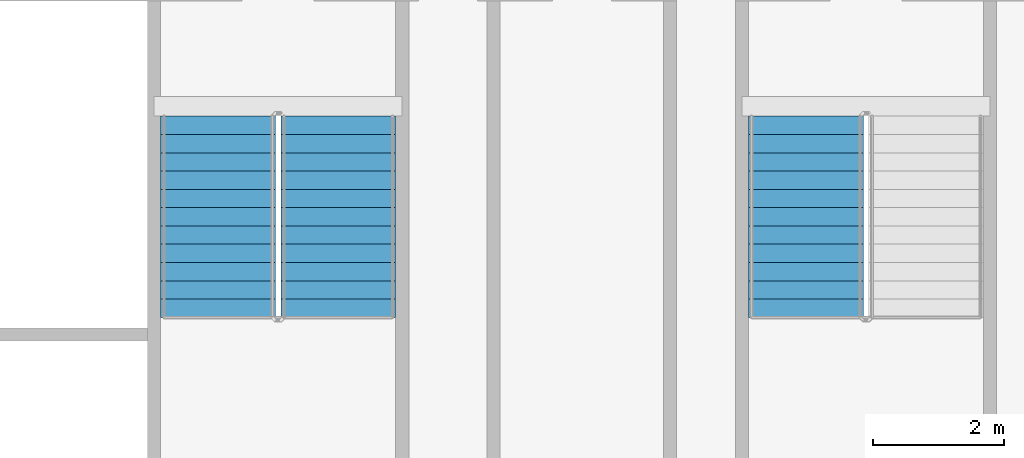
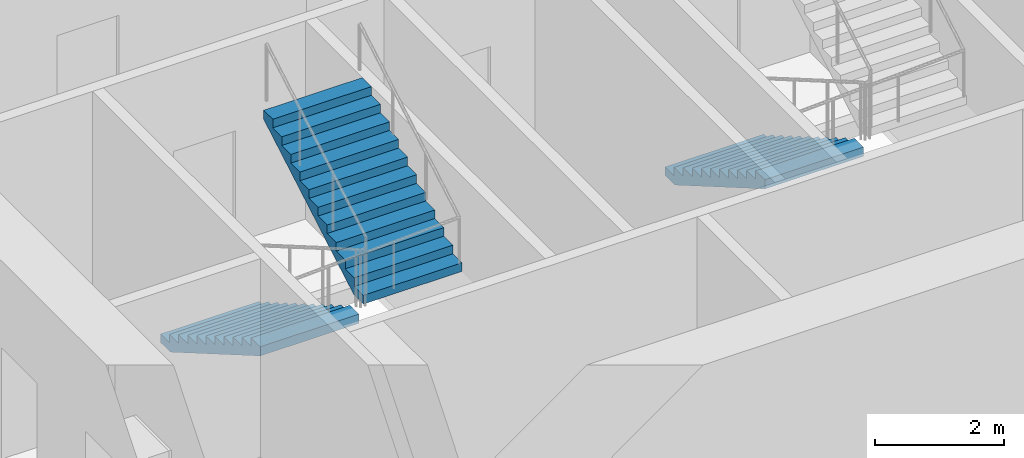
# One storey, part 15 of 22: 3 stair flights, 2 elements without a shape of their own.
"""IFC4 building model written with IfcOpenShell, lengths in metres."""

from ifc_helpers import new_model, si_unit, direction, frame, origin, place, context, subcontext, project, spatial, faceted_brep, material, type_object, element, aggregate, save


model = new_model("IFC4")

# Units and contexts
model_context = context("Model", 3, precision=1e-05, world=origin(), true_north=direction((0.0, 1.0)))
body_context = subcontext(model_context, "Body", "Model", "MODEL_VIEW")
ifc_project = project(units=[si_unit("LENGTHUNIT", "METRE"), si_unit("AREAUNIT", "SQUARE_METRE"), si_unit("VOLUMEUNIT", "CUBIC_METRE"), si_unit("PLANEANGLEUNIT", "RADIAN"), si_unit("MASSUNIT", "GRAM", prefix="KILO")], contexts=[model_context])

# Site, building, storey
site_placement = place(None, origin())
site = spatial("IfcSite", under=ifc_project, at=site_placement, CompositionType="ELEMENT")
building_placement = place(site_placement, origin())
building = spatial("IfcBuilding", under=site, at=building_placement, Name="Tarsis Ring Headquarters", CompositionType="ELEMENT")
storey_placement = place(building_placement, frame((0.0, 0.0, 55.60009765625)))
storey = spatial("IfcBuildingStorey", under=building, at=storey_placement, Name="L11", CompositionType="ELEMENT", Elevation=55.60009765625)

# Stair, stair flights
ifc_material_1 = material(Name="Core stair 1760")
stair_type = type_object("IfcStairType", Name="Core stair 1760", PredefinedType="HALF_TURN_STAIR", material=ifc_material_1)
stair_1_placement = place(storey_placement, origin())
stair_1 = element("IfcStair", 1, at=stair_1_placement, inside=storey, type_object=stair_type, Name="L11 Exit stair C", PredefinedType="HALF_TURN_STAIR")
ifc_material_2 = material(Name="Concrete C40/50", Category="concrete")
stair_flight_type = type_object("IfcStairFlightType", Name="Core stair flight 1760", PredefinedType="STRAIGHT", material=ifc_material_2)
stair_flight_1_placement = place(storey_placement, frame((-5.419921875, -3.659912109375, 0.0), z_axis=(0.0, 0.0, 1.0), x_axis=(0.0, -1.0, 0.0)))
stair_flight_1 = element("IfcStairFlight", 2, at=stair_flight_1_placement, type_object=stair_flight_type, Name="Stair ST3 flight 1", NumberOfRisers=12, NumberOfTreads=11, PredefinedType="STRAIGHT", RiserHeight=0.1625, TreadLength=0.28, context=body_context, shape_type="Brep", body=[
    faceted_brep([(0.0, 0.8798828125, 0.0), (0.0, 0.8798828125, 0.16259765625), (0.280029296875, 0.8798828125, 0.16259765625), (0.280029296875, 0.8798828125, 0.324951171875), (0.56005859375, 0.8798828125, 0.324951171875), (0.56005859375, 0.8798828125, 0.487548828125), (0.840087890625, 0.8798828125, 0.487548828125), (0.840087890625, 0.8798828125, 0.64990234375), (1.1201171875, 0.8798828125, 0.64990234375), (1.1201171875, 0.8798828125, 0.8125), (1.39990234375, 0.8798828125, 0.8125), (1.39990234375, 0.8798828125, 0.97509765625), (1.679931640625, 0.8798828125, 0.97509765625), (1.679931640625, 0.8798828125, 1.137451171875), (1.9599609375, 0.8798828125, 1.137451171875), (1.9599609375, 0.8798828125, 1.300048828125), (2.239990234375, 0.8798828125, 1.300048828125), (2.239990234375, 0.8798828125, 1.46240234375), (2.52001953125, 0.8798828125, 1.46240234375), (2.52001953125, 0.8798828125, 1.625), (2.800048828125, 0.8798828125, 1.625), (2.800048828125, 0.8798828125, 1.78759765625), (3.080078125, 0.8798828125, 1.78759765625), (3.080078125, 0.8798828125, 1.6142578125), (0.298583984375, 0.8798828125, 0.0), (0.298583984375, -0.8798828125, 0.0), (3.080078125, -0.8798828125, 1.6142578125), (3.080078125, -0.8798828125, 1.78759765625), (2.800048828125, -0.8798828125, 1.78759765625), (2.800048828125, -0.8798828125, 1.625), (2.52001953125, -0.8798828125, 1.625), (2.52001953125, -0.8798828125, 1.46240234375), (2.239990234375, -0.8798828125, 1.46240234375), (2.239990234375, -0.8798828125, 1.300048828125), (1.9599609375, -0.8798828125, 1.300048828125), (1.9599609375, -0.8798828125, 1.137451171875), (1.679931640625, -0.8798828125, 1.137451171875), (1.679931640625, -0.8798828125, 0.97509765625), (1.39990234375, -0.8798828125, 0.97509765625), (1.39990234375, -0.8798828125, 0.8125), (1.1201171875, -0.8798828125, 0.8125), (1.1201171875, -0.8798828125, 0.64990234375), (0.840087890625, -0.8798828125, 0.64990234375), (0.840087890625, -0.8798828125, 0.487548828125), (0.56005859375, -0.8798828125, 0.487548828125), (0.56005859375, -0.8798828125, 0.324951171875), (0.280029296875, -0.8798828125, 0.324951171875), (0.280029296875, -0.8798828125, 0.16259765625), (0.0, -0.8798828125, 0.16259765625), (0.0, -0.8798828125, 0.0), (0.0, -0.43994140625, 0.16259765625), (0.0, -0.43994140625, 0.0), (0.0, 0.0, 0.16259765625), (0.0, 0.0, 0.0), (0.0, 0.43994140625, 0.16259765625), (0.0, 0.43994140625, 0.0), (0.280029296875, -0.43994140625, 0.16259765625), (0.280029296875, 0.0, 0.16259765625), (0.280029296875, 0.43994140625, 0.16259765625), (0.280029296875, -0.43994140625, 0.324951171875), (0.280029296875, 0.0, 0.324951171875), (0.280029296875, 0.43994140625, 0.324951171875), (0.56005859375, -0.43994140625, 0.324951171875), (0.56005859375, 0.0, 0.324951171875), (0.56005859375, 0.43994140625, 0.324951171875), (0.56005859375, -0.43994140625, 0.487548828125), (0.56005859375, 0.0, 0.487548828125), (0.56005859375, 0.43994140625, 0.487548828125), (0.840087890625, -0.43994140625, 0.487548828125), (0.840087890625, 0.0, 0.487548828125), (0.840087890625, 0.43994140625, 0.487548828125), (0.840087890625, -0.43994140625, 0.64990234375), (0.840087890625, 0.0, 0.64990234375), (0.840087890625, 0.43994140625, 0.64990234375), (1.1201171875, -0.43994140625, 0.64990234375), (1.1201171875, 0.0, 0.64990234375), (1.1201171875, 0.43994140625, 0.64990234375), (1.1201171875, -0.43994140625, 0.8125), (1.1201171875, 0.0, 0.8125), (1.1201171875, 0.43994140625, 0.8125), (1.39990234375, -0.43994140625, 0.8125), (1.39990234375, 0.0, 0.8125), (1.39990234375, 0.43994140625, 0.8125), (1.39990234375, -0.43994140625, 0.97509765625), (1.39990234375, 0.0, 0.97509765625), (1.39990234375, 0.43994140625, 0.97509765625), (1.679931640625, -0.43994140625, 0.97509765625), (1.679931640625, 0.0, 0.97509765625), (1.679931640625, 0.43994140625, 0.97509765625), (1.679931640625, -0.43994140625, 1.137451171875), (1.679931640625, 0.0, 1.137451171875), (1.679931640625, 0.43994140625, 1.137451171875), (1.9599609375, -0.43994140625, 1.137451171875), (1.9599609375, 0.0, 1.137451171875), (1.9599609375, 0.43994140625, 1.137451171875), (1.9599609375, -0.43994140625, 1.300048828125), (1.9599609375, 0.0, 1.300048828125), (1.9599609375, 0.43994140625, 1.300048828125), (2.239990234375, -0.43994140625, 1.300048828125), (2.239990234375, 0.0, 1.300048828125), (2.239990234375, 0.43994140625, 1.300048828125), (2.239990234375, -0.43994140625, 1.46240234375), (2.239990234375, 0.0, 1.46240234375), (2.239990234375, 0.43994140625, 1.46240234375), (2.52001953125, -0.43994140625, 1.46240234375), (2.52001953125, 0.0, 1.46240234375), (2.52001953125, 0.43994140625, 1.46240234375), (2.52001953125, -0.43994140625, 1.625), (2.52001953125, 0.0, 1.625), (2.52001953125, 0.43994140625, 1.625), (2.800048828125, -0.43994140625, 1.625), (2.800048828125, 0.0, 1.625), (2.800048828125, 0.43994140625, 1.625), (2.800048828125, -0.43994140625, 1.78759765625), (2.800048828125, 0.0, 1.78759765625), (2.800048828125, 0.43994140625, 1.78759765625), (3.080078125, -0.43994140625, 1.78759765625), (3.080078125, 0.0, 1.78759765625), (3.080078125, 0.43994140625, 1.78759765625), (3.080078125, -0.43994140625, 1.6142578125), (3.080078125, 0.0, 1.6142578125), (3.080078125, 0.43994140625, 1.6142578125), (0.298583984375, -0.43994140625, 0.0), (0.298583984375, 0.0, 0.0), (0.298583984375, 0.43994140625, 0.0)], [[[0, 1, 2, 3, 4, 5, 6, 7, 8, 9, 10, 11, 12, 13, 14, 15, 16, 17, 18, 19, 20, 21, 22, 23, 24]], [[25, 26, 27, 28, 29, 30, 31, 32, 33, 34, 35, 36, 37, 38, 39, 40, 41, 42, 43, 44, 45, 46, 47, 48, 49]], [[49, 48, 50, 51]], [[51, 50, 52, 53]], [[53, 52, 54, 55]], [[55, 54, 1, 0]], [[48, 47, 56, 50]], [[50, 56, 57, 52]], [[52, 57, 58, 54]], [[54, 58, 2, 1]], [[47, 46, 59, 56]], [[56, 59, 60, 57]], [[57, 60, 61, 58]], [[58, 61, 3, 2]], [[46, 45, 62, 59]], [[59, 62, 63, 60]], [[60, 63, 64, 61]], [[61, 64, 4, 3]], [[45, 44, 65, 62]], [[62, 65, 66, 63]], [[63, 66, 67, 64]], [[64, 67, 5, 4]], [[44, 43, 68, 65]], [[65, 68, 69, 66]], [[66, 69, 70, 67]], [[67, 70, 6, 5]], [[43, 42, 71, 68]], [[68, 71, 72, 69]], [[69, 72, 73, 70]], [[70, 73, 7, 6]], [[42, 41, 74, 71]], [[71, 74, 75, 72]], [[72, 75, 76, 73]], [[73, 76, 8, 7]], [[41, 40, 77, 74]], [[74, 77, 78, 75]], [[75, 78, 79, 76]], [[76, 79, 9, 8]], [[40, 39, 80, 77]], [[77, 80, 81, 78]], [[78, 81, 82, 79]], [[79, 82, 10, 9]], [[39, 38, 83, 80]], [[80, 83, 84, 81]], [[81, 84, 85, 82]], [[82, 85, 11, 10]], [[38, 37, 86, 83]], [[83, 86, 87, 84]], [[84, 87, 88, 85]], [[85, 88, 12, 11]], [[37, 36, 89, 86]], [[86, 89, 90, 87]], [[87, 90, 91, 88]], [[88, 91, 13, 12]], [[36, 35, 92, 89]], [[89, 92, 93, 90]], [[90, 93, 94, 91]], [[91, 94, 14, 13]], [[35, 34, 95, 92]], [[92, 95, 96, 93]], [[93, 96, 97, 94]], [[94, 97, 15, 14]], [[34, 33, 98, 95]], [[95, 98, 99, 96]], [[96, 99, 100, 97]], [[97, 100, 16, 15]], [[33, 32, 101, 98]], [[98, 101, 102, 99]], [[99, 102, 103, 100]], [[100, 103, 17, 16]], [[32, 31, 104, 101]], [[101, 104, 105, 102]], [[102, 105, 106, 103]], [[103, 106, 18, 17]], [[31, 30, 107, 104]], [[104, 107, 108, 105]], [[105, 108, 109, 106]], [[106, 109, 19, 18]], [[30, 29, 110, 107]], [[107, 110, 111, 108]], [[108, 111, 112, 109]], [[109, 112, 20, 19]], [[29, 28, 113, 110]], [[110, 113, 114, 111]], [[111, 114, 115, 112]], [[112, 115, 21, 20]], [[28, 27, 116, 113]], [[113, 116, 117, 114]], [[114, 117, 118, 115]], [[115, 118, 22, 21]], [[27, 26, 119, 116]], [[116, 119, 120, 117]], [[117, 120, 121, 118]], [[118, 121, 23, 22]], [[26, 25, 122, 119]], [[119, 122, 123, 120]], [[120, 123, 124, 121]], [[121, 124, 24, 23]], [[25, 49, 51, 122]], [[122, 51, 53, 123]], [[123, 53, 55, 124]], [[124, 55, 0, 24]]]),
])
stair_flight_2_placement = place(storey_placement, frame((-3.580078125, -6.739990234375, 1.949951171875), z_axis=(0.0, 0.0, 1.0), x_axis=(0.0, 1.0, 0.0)))
stair_flight_2 = element("IfcStairFlight", 3, at=stair_flight_2_placement, type_object=stair_flight_type, Name="Stair ST3 flight 2", NumberOfRisers=12, NumberOfTreads=11, PredefinedType="STRAIGHT", RiserHeight=0.1625, TreadLength=0.28, context=body_context, shape_type="Brep", body=[
    faceted_brep([(0.0, 0.8798828125, 0.0), (0.0, 0.8798828125, 0.16259765625), (0.280029296875, 0.8798828125, 0.16259765625), (0.280029296875, 0.8798828125, 0.324951171875), (0.56005859375, 0.8798828125, 0.324951171875), (0.56005859375, 0.8798828125, 0.487548828125), (0.840087890625, 0.8798828125, 0.487548828125), (0.840087890625, 0.8798828125, 0.64990234375), (1.1201171875, 0.8798828125, 0.64990234375), (1.1201171875, 0.8798828125, 0.8125), (1.39990234375, 0.8798828125, 0.8125), (1.39990234375, 0.8798828125, 0.97509765625), (1.679931640625, 0.8798828125, 0.97509765625), (1.679931640625, 0.8798828125, 1.137451171875), (1.9599609375, 0.8798828125, 1.137451171875), (1.9599609375, 0.8798828125, 1.300048828125), (2.239990234375, 0.8798828125, 1.300048828125), (2.239990234375, 0.8798828125, 1.46240234375), (2.52001953125, 0.8798828125, 1.46240234375), (2.52001953125, 0.8798828125, 1.625), (2.800048828125, 0.8798828125, 1.625), (2.800048828125, 0.8798828125, 1.78759765625), (3.080078125, 0.8798828125, 1.78759765625), (3.080078125, 0.8798828125, 1.6142578125), (0.298583984375, 0.8798828125, 0.0), (0.298583984375, -0.8798828125, 0.0), (3.080078125, -0.8798828125, 1.6142578125), (3.080078125, -0.8798828125, 1.78759765625), (2.800048828125, -0.8798828125, 1.78759765625), (2.800048828125, -0.8798828125, 1.625), (2.52001953125, -0.8798828125, 1.625), (2.52001953125, -0.8798828125, 1.46240234375), (2.239990234375, -0.8798828125, 1.46240234375), (2.239990234375, -0.8798828125, 1.300048828125), (1.9599609375, -0.8798828125, 1.300048828125), (1.9599609375, -0.8798828125, 1.137451171875), (1.679931640625, -0.8798828125, 1.137451171875), (1.679931640625, -0.8798828125, 0.97509765625), (1.39990234375, -0.8798828125, 0.97509765625), (1.39990234375, -0.8798828125, 0.8125), (1.1201171875, -0.8798828125, 0.8125), (1.1201171875, -0.8798828125, 0.64990234375), (0.840087890625, -0.8798828125, 0.64990234375), (0.840087890625, -0.8798828125, 0.487548828125), (0.56005859375, -0.8798828125, 0.487548828125), (0.56005859375, -0.8798828125, 0.324951171875), (0.280029296875, -0.8798828125, 0.324951171875), (0.280029296875, -0.8798828125, 0.16259765625), (0.0, -0.8798828125, 0.16259765625), (0.0, -0.8798828125, 0.0), (0.0, -0.43994140625, 0.16259765625), (0.0, -0.43994140625, 0.0), (0.0, 0.0, 0.16259765625), (0.0, 0.0, 0.0), (0.0, 0.43994140625, 0.16259765625), (0.0, 0.43994140625, 0.0), (0.280029296875, -0.43994140625, 0.16259765625), (0.280029296875, 0.0, 0.16259765625), (0.280029296875, 0.43994140625, 0.16259765625), (0.280029296875, -0.43994140625, 0.324951171875), (0.280029296875, 0.0, 0.324951171875), (0.280029296875, 0.43994140625, 0.324951171875), (0.56005859375, -0.43994140625, 0.324951171875), (0.56005859375, 0.0, 0.324951171875), (0.56005859375, 0.43994140625, 0.324951171875), (0.56005859375, -0.43994140625, 0.487548828125), (0.56005859375, 0.0, 0.487548828125), (0.56005859375, 0.43994140625, 0.487548828125), (0.840087890625, -0.43994140625, 0.487548828125), (0.840087890625, 0.0, 0.487548828125), (0.840087890625, 0.43994140625, 0.487548828125), (0.840087890625, -0.43994140625, 0.64990234375), (0.840087890625, 0.0, 0.64990234375), (0.840087890625, 0.43994140625, 0.64990234375), (1.1201171875, -0.43994140625, 0.64990234375), (1.1201171875, 0.0, 0.64990234375), (1.1201171875, 0.43994140625, 0.64990234375), (1.1201171875, -0.43994140625, 0.8125), (1.1201171875, 0.0, 0.8125), (1.1201171875, 0.43994140625, 0.8125), (1.39990234375, -0.43994140625, 0.8125), (1.39990234375, 0.0, 0.8125), (1.39990234375, 0.43994140625, 0.8125), (1.39990234375, -0.43994140625, 0.97509765625), (1.39990234375, 0.0, 0.97509765625), (1.39990234375, 0.43994140625, 0.97509765625), (1.679931640625, -0.43994140625, 0.97509765625), (1.679931640625, 0.0, 0.97509765625), (1.679931640625, 0.43994140625, 0.97509765625), (1.679931640625, -0.43994140625, 1.137451171875), (1.679931640625, 0.0, 1.137451171875), (1.679931640625, 0.43994140625, 1.137451171875), (1.9599609375, -0.43994140625, 1.137451171875), (1.9599609375, 0.0, 1.137451171875), (1.9599609375, 0.43994140625, 1.137451171875), (1.9599609375, -0.43994140625, 1.300048828125), (1.9599609375, 0.0, 1.300048828125), (1.9599609375, 0.43994140625, 1.300048828125), (2.239990234375, -0.43994140625, 1.300048828125), (2.239990234375, 0.0, 1.300048828125), (2.239990234375, 0.43994140625, 1.300048828125), (2.239990234375, -0.43994140625, 1.46240234375), (2.239990234375, 0.0, 1.46240234375), (2.239990234375, 0.43994140625, 1.46240234375), (2.52001953125, -0.43994140625, 1.46240234375), (2.52001953125, 0.0, 1.46240234375), (2.52001953125, 0.43994140625, 1.46240234375), (2.52001953125, -0.43994140625, 1.625), (2.52001953125, 0.0, 1.625), (2.52001953125, 0.43994140625, 1.625), (2.800048828125, -0.43994140625, 1.625), (2.800048828125, 0.0, 1.625), (2.800048828125, 0.43994140625, 1.625), (2.800048828125, -0.43994140625, 1.78759765625), (2.800048828125, 0.0, 1.78759765625), (2.800048828125, 0.43994140625, 1.78759765625), (3.080078125, -0.43994140625, 1.78759765625), (3.080078125, 0.0, 1.78759765625), (3.080078125, 0.43994140625, 1.78759765625), (3.080078125, -0.43994140625, 1.6142578125), (3.080078125, 0.0, 1.6142578125), (3.080078125, 0.43994140625, 1.6142578125), (0.298583984375, -0.43994140625, 0.0), (0.298583984375, 0.0, 0.0), (0.298583984375, 0.43994140625, 0.0)], [[[0, 1, 2, 3, 4, 5, 6, 7, 8, 9, 10, 11, 12, 13, 14, 15, 16, 17, 18, 19, 20, 21, 22, 23, 24]], [[25, 26, 27, 28, 29, 30, 31, 32, 33, 34, 35, 36, 37, 38, 39, 40, 41, 42, 43, 44, 45, 46, 47, 48, 49]], [[49, 48, 50, 51]], [[51, 50, 52, 53]], [[53, 52, 54, 55]], [[55, 54, 1, 0]], [[48, 47, 56, 50]], [[50, 56, 57, 52]], [[52, 57, 58, 54]], [[54, 58, 2, 1]], [[47, 46, 59, 56]], [[56, 59, 60, 57]], [[57, 60, 61, 58]], [[58, 61, 3, 2]], [[46, 45, 62, 59]], [[59, 62, 63, 60]], [[60, 63, 64, 61]], [[61, 64, 4, 3]], [[45, 44, 65, 62]], [[62, 65, 66, 63]], [[63, 66, 67, 64]], [[64, 67, 5, 4]], [[44, 43, 68, 65]], [[65, 68, 69, 66]], [[66, 69, 70, 67]], [[67, 70, 6, 5]], [[43, 42, 71, 68]], [[68, 71, 72, 69]], [[69, 72, 73, 70]], [[70, 73, 7, 6]], [[42, 41, 74, 71]], [[71, 74, 75, 72]], [[72, 75, 76, 73]], [[73, 76, 8, 7]], [[41, 40, 77, 74]], [[74, 77, 78, 75]], [[75, 78, 79, 76]], [[76, 79, 9, 8]], [[40, 39, 80, 77]], [[77, 80, 81, 78]], [[78, 81, 82, 79]], [[79, 82, 10, 9]], [[39, 38, 83, 80]], [[80, 83, 84, 81]], [[81, 84, 85, 82]], [[82, 85, 11, 10]], [[38, 37, 86, 83]], [[83, 86, 87, 84]], [[84, 87, 88, 85]], [[85, 88, 12, 11]], [[37, 36, 89, 86]], [[86, 89, 90, 87]], [[87, 90, 91, 88]], [[88, 91, 13, 12]], [[36, 35, 92, 89]], [[89, 92, 93, 90]], [[90, 93, 94, 91]], [[91, 94, 14, 13]], [[35, 34, 95, 92]], [[92, 95, 96, 93]], [[93, 96, 97, 94]], [[94, 97, 15, 14]], [[34, 33, 98, 95]], [[95, 98, 99, 96]], [[96, 99, 100, 97]], [[97, 100, 16, 15]], [[33, 32, 101, 98]], [[98, 101, 102, 99]], [[99, 102, 103, 100]], [[100, 103, 17, 16]], [[32, 31, 104, 101]], [[101, 104, 105, 102]], [[102, 105, 106, 103]], [[103, 106, 18, 17]], [[31, 30, 107, 104]], [[104, 107, 108, 105]], [[105, 108, 109, 106]], [[106, 109, 19, 18]], [[30, 29, 110, 107]], [[107, 110, 111, 108]], [[108, 111, 112, 109]], [[109, 112, 20, 19]], [[29, 28, 113, 110]], [[110, 113, 114, 111]], [[111, 114, 115, 112]], [[112, 115, 21, 20]], [[28, 27, 116, 113]], [[113, 116, 117, 114]], [[114, 117, 118, 115]], [[115, 118, 22, 21]], [[27, 26, 119, 116]], [[116, 119, 120, 117]], [[117, 120, 121, 118]], [[118, 121, 23, 22]], [[26, 25, 122, 119]], [[119, 122, 123, 120]], [[120, 123, 124, 121]], [[121, 124, 24, 23]], [[25, 49, 51, 122]], [[122, 51, 53, 123]], [[123, 53, 55, 124]], [[124, 55, 0, 24]]]),
])
aggregate(stair_1, [stair_flight_1, stair_flight_2])

# Stair, stair flight
stair_2_placement = place(storey_placement, origin())
stair_2 = element("IfcStair", 4, at=stair_2_placement, inside=storey, type_object=stair_type, Name="L11 Exit stair D", PredefinedType="HALF_TURN_STAIR")
stair_flight_3_placement = place(storey_placement, frame((3.580078125, -3.659912109375, 0.0), z_axis=(0.0, 0.0, 1.0), x_axis=(0.0, -1.0, 0.0)))
stair_flight_3 = element("IfcStairFlight", 5, at=stair_flight_3_placement, type_object=stair_flight_type, Name="Stair ST4 flight 1", NumberOfRisers=12, NumberOfTreads=11, PredefinedType="STRAIGHT", RiserHeight=0.1625, TreadLength=0.28, context=body_context, shape_type="Brep", body=[
    faceted_brep([(0.0, 0.8798828125, 0.0), (0.0, 0.8798828125, 0.16259765625), (0.280029296875, 0.8798828125, 0.16259765625), (0.280029296875, 0.8798828125, 0.324951171875), (0.56005859375, 0.8798828125, 0.324951171875), (0.56005859375, 0.8798828125, 0.487548828125), (0.840087890625, 0.8798828125, 0.487548828125), (0.840087890625, 0.8798828125, 0.64990234375), (1.1201171875, 0.8798828125, 0.64990234375), (1.1201171875, 0.8798828125, 0.8125), (1.39990234375, 0.8798828125, 0.8125), (1.39990234375, 0.8798828125, 0.97509765625), (1.679931640625, 0.8798828125, 0.97509765625), (1.679931640625, 0.8798828125, 1.137451171875), (1.9599609375, 0.8798828125, 1.137451171875), (1.9599609375, 0.8798828125, 1.300048828125), (2.239990234375, 0.8798828125, 1.300048828125), (2.239990234375, 0.8798828125, 1.46240234375), (2.52001953125, 0.8798828125, 1.46240234375), (2.52001953125, 0.8798828125, 1.625), (2.800048828125, 0.8798828125, 1.625), (2.800048828125, 0.8798828125, 1.78759765625), (3.080078125, 0.8798828125, 1.78759765625), (3.080078125, 0.8798828125, 1.6142578125), (0.298583984375, 0.8798828125, 0.0), (0.298583984375, -0.8798828125, 0.0), (3.080078125, -0.8798828125, 1.6142578125), (3.080078125, -0.8798828125, 1.78759765625), (2.800048828125, -0.8798828125, 1.78759765625), (2.800048828125, -0.8798828125, 1.625), (2.52001953125, -0.8798828125, 1.625), (2.52001953125, -0.8798828125, 1.46240234375), (2.239990234375, -0.8798828125, 1.46240234375), (2.239990234375, -0.8798828125, 1.300048828125), (1.9599609375, -0.8798828125, 1.300048828125), (1.9599609375, -0.8798828125, 1.137451171875), (1.679931640625, -0.8798828125, 1.137451171875), (1.679931640625, -0.8798828125, 0.97509765625), (1.39990234375, -0.8798828125, 0.97509765625), (1.39990234375, -0.8798828125, 0.8125), (1.1201171875, -0.8798828125, 0.8125), (1.1201171875, -0.8798828125, 0.64990234375), (0.840087890625, -0.8798828125, 0.64990234375), (0.840087890625, -0.8798828125, 0.487548828125), (0.56005859375, -0.8798828125, 0.487548828125), (0.56005859375, -0.8798828125, 0.324951171875), (0.280029296875, -0.8798828125, 0.324951171875), (0.280029296875, -0.8798828125, 0.16259765625), (0.0, -0.8798828125, 0.16259765625), (0.0, -0.8798828125, 0.0), (0.0, -0.43994140625, 0.16259765625), (0.0, -0.43994140625, 0.0), (0.0, 0.0, 0.16259765625), (0.0, 0.0, 0.0), (0.0, 0.43994140625, 0.16259765625), (0.0, 0.43994140625, 0.0), (0.280029296875, -0.43994140625, 0.16259765625), (0.280029296875, 0.0, 0.16259765625), (0.280029296875, 0.43994140625, 0.16259765625), (0.280029296875, -0.43994140625, 0.324951171875), (0.280029296875, 0.0, 0.324951171875), (0.280029296875, 0.43994140625, 0.324951171875), (0.56005859375, -0.43994140625, 0.324951171875), (0.56005859375, 0.0, 0.324951171875), (0.56005859375, 0.43994140625, 0.324951171875), (0.56005859375, -0.43994140625, 0.487548828125), (0.56005859375, 0.0, 0.487548828125), (0.56005859375, 0.43994140625, 0.487548828125), (0.840087890625, -0.43994140625, 0.487548828125), (0.840087890625, 0.0, 0.487548828125), (0.840087890625, 0.43994140625, 0.487548828125), (0.840087890625, -0.43994140625, 0.64990234375), (0.840087890625, 0.0, 0.64990234375), (0.840087890625, 0.43994140625, 0.64990234375), (1.1201171875, -0.43994140625, 0.64990234375), (1.1201171875, 0.0, 0.64990234375), (1.1201171875, 0.43994140625, 0.64990234375), (1.1201171875, -0.43994140625, 0.8125), (1.1201171875, 0.0, 0.8125), (1.1201171875, 0.43994140625, 0.8125), (1.39990234375, -0.43994140625, 0.8125), (1.39990234375, 0.0, 0.8125), (1.39990234375, 0.43994140625, 0.8125), (1.39990234375, -0.43994140625, 0.97509765625), (1.39990234375, 0.0, 0.97509765625), (1.39990234375, 0.43994140625, 0.97509765625), (1.679931640625, -0.43994140625, 0.97509765625), (1.679931640625, 0.0, 0.97509765625), (1.679931640625, 0.43994140625, 0.97509765625), (1.679931640625, -0.43994140625, 1.137451171875), (1.679931640625, 0.0, 1.137451171875), (1.679931640625, 0.43994140625, 1.137451171875), (1.9599609375, -0.43994140625, 1.137451171875), (1.9599609375, 0.0, 1.137451171875), (1.9599609375, 0.43994140625, 1.137451171875), (1.9599609375, -0.43994140625, 1.300048828125), (1.9599609375, 0.0, 1.300048828125), (1.9599609375, 0.43994140625, 1.300048828125), (2.239990234375, -0.43994140625, 1.300048828125), (2.239990234375, 0.0, 1.300048828125), (2.239990234375, 0.43994140625, 1.300048828125), (2.239990234375, -0.43994140625, 1.46240234375), (2.239990234375, 0.0, 1.46240234375), (2.239990234375, 0.43994140625, 1.46240234375), (2.52001953125, -0.43994140625, 1.46240234375), (2.52001953125, 0.0, 1.46240234375), (2.52001953125, 0.43994140625, 1.46240234375), (2.52001953125, -0.43994140625, 1.625), (2.52001953125, 0.0, 1.625), (2.52001953125, 0.43994140625, 1.625), (2.800048828125, -0.43994140625, 1.625), (2.800048828125, 0.0, 1.625), (2.800048828125, 0.43994140625, 1.625), (2.800048828125, -0.43994140625, 1.78759765625), (2.800048828125, 0.0, 1.78759765625), (2.800048828125, 0.43994140625, 1.78759765625), (3.080078125, -0.43994140625, 1.78759765625), (3.080078125, 0.0, 1.78759765625), (3.080078125, 0.43994140625, 1.78759765625), (3.080078125, -0.43994140625, 1.6142578125), (3.080078125, 0.0, 1.6142578125), (3.080078125, 0.43994140625, 1.6142578125), (0.298583984375, -0.43994140625, 0.0), (0.298583984375, 0.0, 0.0), (0.298583984375, 0.43994140625, 0.0)], [[[0, 1, 2, 3, 4, 5, 6, 7, 8, 9, 10, 11, 12, 13, 14, 15, 16, 17, 18, 19, 20, 21, 22, 23, 24]], [[25, 26, 27, 28, 29, 30, 31, 32, 33, 34, 35, 36, 37, 38, 39, 40, 41, 42, 43, 44, 45, 46, 47, 48, 49]], [[49, 48, 50, 51]], [[51, 50, 52, 53]], [[53, 52, 54, 55]], [[55, 54, 1, 0]], [[48, 47, 56, 50]], [[50, 56, 57, 52]], [[52, 57, 58, 54]], [[54, 58, 2, 1]], [[47, 46, 59, 56]], [[56, 59, 60, 57]], [[57, 60, 61, 58]], [[58, 61, 3, 2]], [[46, 45, 62, 59]], [[59, 62, 63, 60]], [[60, 63, 64, 61]], [[61, 64, 4, 3]], [[45, 44, 65, 62]], [[62, 65, 66, 63]], [[63, 66, 67, 64]], [[64, 67, 5, 4]], [[44, 43, 68, 65]], [[65, 68, 69, 66]], [[66, 69, 70, 67]], [[67, 70, 6, 5]], [[43, 42, 71, 68]], [[68, 71, 72, 69]], [[69, 72, 73, 70]], [[70, 73, 7, 6]], [[42, 41, 74, 71]], [[71, 74, 75, 72]], [[72, 75, 76, 73]], [[73, 76, 8, 7]], [[41, 40, 77, 74]], [[74, 77, 78, 75]], [[75, 78, 79, 76]], [[76, 79, 9, 8]], [[40, 39, 80, 77]], [[77, 80, 81, 78]], [[78, 81, 82, 79]], [[79, 82, 10, 9]], [[39, 38, 83, 80]], [[80, 83, 84, 81]], [[81, 84, 85, 82]], [[82, 85, 11, 10]], [[38, 37, 86, 83]], [[83, 86, 87, 84]], [[84, 87, 88, 85]], [[85, 88, 12, 11]], [[37, 36, 89, 86]], [[86, 89, 90, 87]], [[87, 90, 91, 88]], [[88, 91, 13, 12]], [[36, 35, 92, 89]], [[89, 92, 93, 90]], [[90, 93, 94, 91]], [[91, 94, 14, 13]], [[35, 34, 95, 92]], [[92, 95, 96, 93]], [[93, 96, 97, 94]], [[94, 97, 15, 14]], [[34, 33, 98, 95]], [[95, 98, 99, 96]], [[96, 99, 100, 97]], [[97, 100, 16, 15]], [[33, 32, 101, 98]], [[98, 101, 102, 99]], [[99, 102, 103, 100]], [[100, 103, 17, 16]], [[32, 31, 104, 101]], [[101, 104, 105, 102]], [[102, 105, 106, 103]], [[103, 106, 18, 17]], [[31, 30, 107, 104]], [[104, 107, 108, 105]], [[105, 108, 109, 106]], [[106, 109, 19, 18]], [[30, 29, 110, 107]], [[107, 110, 111, 108]], [[108, 111, 112, 109]], [[109, 112, 20, 19]], [[29, 28, 113, 110]], [[110, 113, 114, 111]], [[111, 114, 115, 112]], [[112, 115, 21, 20]], [[28, 27, 116, 113]], [[113, 116, 117, 114]], [[114, 117, 118, 115]], [[115, 118, 22, 21]], [[27, 26, 119, 116]], [[116, 119, 120, 117]], [[117, 120, 121, 118]], [[118, 121, 23, 22]], [[26, 25, 122, 119]], [[119, 122, 123, 120]], [[120, 123, 124, 121]], [[121, 124, 24, 23]], [[25, 49, 51, 122]], [[122, 51, 53, 123]], [[123, 53, 55, 124]], [[124, 55, 0, 24]]]),
])
aggregate(stair_2, [stair_flight_3])

save(model, "model.ifc")
